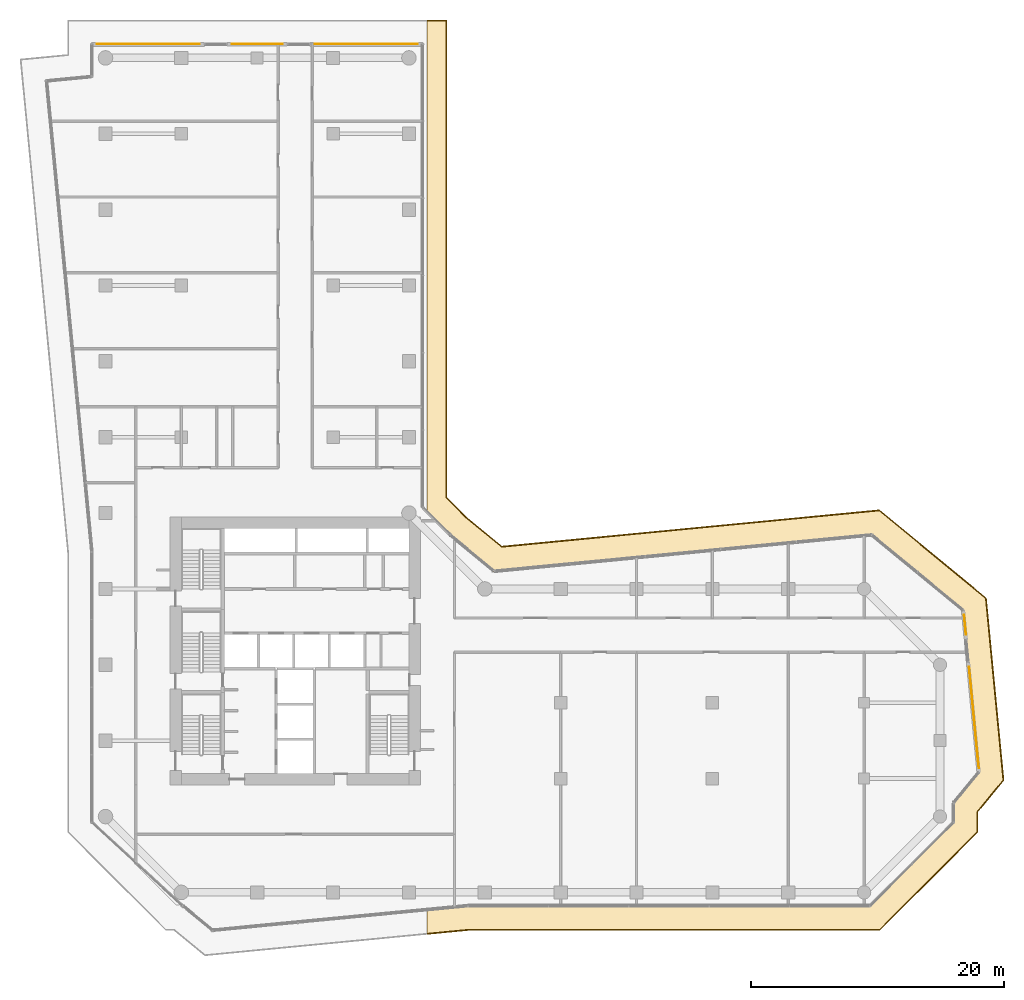
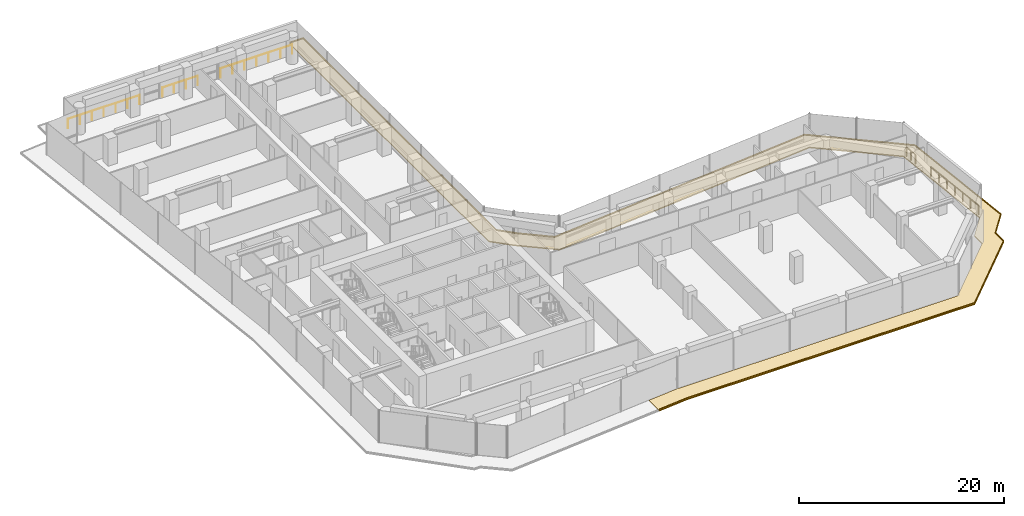
# One storey, part 30 of 30: 5 railings, 2 coverings.
"""IFC4 building model written with IfcOpenShell, lengths in metres."""

from ifc_helpers import new_model, si_unit, direction, frame, origin, origin_2d, place, context, subcontext, project, spatial, polyline, circle, outline, extrude, material, layer, layer_set, type_object, element, save


model = new_model("IFC4")

# Units and contexts
model_context = context("Model", 3, precision=1e-05, world=origin(), true_north=direction((0.0, 1.0)))
body_context = subcontext(model_context, "Body", "Model", "MODEL_VIEW")
ifc_project = project(units=[si_unit("LENGTHUNIT", "METRE"), si_unit("AREAUNIT", "SQUARE_METRE"), si_unit("VOLUMEUNIT", "CUBIC_METRE"), si_unit("PLANEANGLEUNIT", "RADIAN"), si_unit("MASSUNIT", "GRAM", prefix="KILO")], contexts=[model_context])

# Site, building, storey
site_placement = place(None, origin())
site = spatial("IfcSite", under=ifc_project, at=site_placement, CompositionType="ELEMENT")
building_placement = place(site_placement, origin())
building = spatial("IfcBuilding", under=site, at=building_placement, Name="Welwitschia Terrace Campus", CompositionType="ELEMENT")
storey_placement = place(building_placement, frame((0.0, 0.0, 75.199951171875)))
storey = spatial("IfcBuildingStorey", under=building, at=storey_placement, Name="L17", CompositionType="ELEMENT", Elevation=75.199951171875)

# Railings
ifc_material_1 = material(Name="Stainless steel grade 316", Category="steel")
railing_type = type_object("IfcRailingType", Name="Guard 1100", PredefinedType="GUARDRAIL", material=ifc_material_1)
railing_1_placement = place(storey_placement, frame((-0.6640625, 63.114013671875, 0.0)))
element("IfcRailing", 1, at=railing_1_placement, inside=storey, type_object=railing_type, Name="Guard floor edge L17.0", PredefinedType="GUARDRAIL", context=body_context, shape_type="SweptSolid", body=[
    extrude(circle(Radius=0.02392578125, at=origin_2d()), frame((0.0, 0.0, 1.076171875), z_axis=(1.0, 0.0, 0.0), x_axis=(0.0, 1.0, 0.0)), (0.0, 0.0, 1.0), 8.101806640625),
    extrude(circle(Radius=0.02099609375, at=origin_2d()), origin(), (0.0, 0.0, 1.0), 1.052001953125),
    extrude(circle(Radius=0.02099609375, at=origin_2d()), frame((1.350341796875, 0.0, 0.0)), (0.0, 0.0, 1.0), 1.052001953125),
    extrude(circle(Radius=0.02099609375, at=origin_2d()), frame((2.70068359375, 0.0, 0.0)), (0.0, 0.0, 1.0), 1.052001953125),
    extrude(circle(Radius=0.02099609375, at=origin_2d()), frame((4.05078125, 0.0, 0.0)), (0.0, 0.0, 1.0), 1.052001953125),
    extrude(circle(Radius=0.02099609375, at=origin_2d()), frame((5.401123046875, 0.0, 0.0)), (0.0, 0.0, 1.0), 1.052001953125),
    extrude(circle(Radius=0.02099609375, at=origin_2d()), frame((6.75146484375, 0.0, 0.0)), (0.0, 0.0, 1.0), 1.052001953125),
    extrude(circle(Radius=0.02099609375, at=origin_2d()), frame((8.101806640625, 0.0, 0.0)), (0.0, 0.0, 1.0), 1.052001953125),
])
railing_2_placement = place(storey_placement, frame((10.00537109375, 63.114013671875, 0.0)))
element("IfcRailing", 2, at=railing_2_placement, inside=storey, type_object=railing_type, Name="Guard floor edge L17.1", PredefinedType="GUARDRAIL", context=body_context, shape_type="SweptSolid", body=[
    extrude(circle(Radius=0.02392578125, at=origin_2d()), frame((0.0, 0.0, 1.076171875), z_axis=(1.0, 0.0, 0.0), x_axis=(0.0, 1.0, 0.0)), (0.0, 0.0, 1.0), 3.9892578125),
    extrude(circle(Radius=0.02099609375, at=origin_2d()), origin(), (0.0, 0.0, 1.0), 1.052001953125),
    extrude(circle(Radius=0.02099609375, at=origin_2d()), frame((1.329833984375, 0.0, 0.0)), (0.0, 0.0, 1.0), 1.052001953125),
    extrude(circle(Radius=0.02099609375, at=origin_2d()), frame((2.659423828125, 0.0, 0.0)), (0.0, 0.0, 1.0), 1.052001953125),
    extrude(circle(Radius=0.02099609375, at=origin_2d()), frame((3.9892578125, 0.0, 0.0)), (0.0, 0.0, 1.0), 1.052001953125),
])
railing_3_placement = place(storey_placement, frame((16.562255859375, 63.114013671875, 0.0)))
element("IfcRailing", 3, at=railing_3_placement, inside=storey, type_object=railing_type, Name="Guard floor edge L17.2", PredefinedType="GUARDRAIL", context=body_context, shape_type="SweptSolid", body=[
    extrude(circle(Radius=0.02392578125, at=origin_2d()), frame((0.0, 0.0, 1.076171875), z_axis=(1.0, 0.0, 0.0), x_axis=(0.0, 1.0, 0.0)), (0.0, 0.0, 1.0), 8.101806640625),
    extrude(circle(Radius=0.02099609375, at=origin_2d()), origin(), (0.0, 0.0, 1.0), 1.052001953125),
    extrude(circle(Radius=0.02099609375, at=origin_2d()), frame((1.350341796875, 0.0, 0.0)), (0.0, 0.0, 1.0), 1.052001953125),
    extrude(circle(Radius=0.02099609375, at=origin_2d()), frame((2.70068359375, 0.0, 0.0)), (0.0, 0.0, 1.0), 1.052001953125),
    extrude(circle(Radius=0.02099609375, at=origin_2d()), frame((4.05078125, 0.0, 0.0)), (0.0, 0.0, 1.0), 1.052001953125),
    extrude(circle(Radius=0.02099609375, at=origin_2d()), frame((5.401123046875, 0.0, 0.0)), (0.0, 0.0, 1.0), 1.052001953125),
    extrude(circle(Radius=0.02099609375, at=origin_2d()), frame((6.75146484375, 0.0, 0.0)), (0.0, 0.0, 1.0), 1.052001953125),
    extrude(circle(Radius=0.02099609375, at=origin_2d()), frame((8.101806640625, 0.0, 0.0)), (0.0, 0.0, 1.0), 1.052001953125),
])
railing_4_placement = place(storey_placement, frame((67.908935546875, 17.943603515625, 0.0)))
element("IfcRailing", 4, at=railing_4_placement, inside=storey, type_object=railing_type, Name="Guard floor edge L17.3", PredefinedType="GUARDRAIL", context=body_context, shape_type="SweptSolid", body=[
    extrude(circle(Radius=0.02392578125, at=origin_2d()), frame((0.0, 0.0, 1.076171875), z_axis=(0.095745144339, -0.995405880702, 0.0), x_axis=(0.995405880702, 0.095745144339, 0.0)), (0.0, 0.0, 1.0), 1.56298828125),
    extrude(circle(Radius=0.02099609375, at=origin_2d()), origin(), (0.0, 0.0, 1.0), 1.052001953125),
    extrude(circle(Radius=0.02099609375, at=origin_2d()), frame((0.07470703125, -0.77783203125, 0.0)), (0.0, 0.0, 1.0), 1.052001953125),
    extrude(circle(Radius=0.02099609375, at=origin_2d()), frame((0.149658203125, -1.555908203125, 0.0)), (0.0, 0.0, 1.0), 1.052001953125),
])
railing_5_placement = place(storey_placement, frame((68.3046875, 13.83203125, 0.0)))
element("IfcRailing", 5, at=railing_5_placement, inside=storey, type_object=railing_type, Name="Guard floor edge L17.4", PredefinedType="GUARDRAIL", context=body_context, shape_type="SweptSolid", body=[
    extrude(circle(Radius=0.02392578125, at=origin_2d()), frame((0.0, 0.0, 1.076171875), z_axis=(0.095864288664, -0.995394413365, 0.0), x_axis=(0.995394413365, 0.095864288664, 0.0)), (0.0, 0.0, 1.0), 8.024658203125),
    extrude(circle(Radius=0.02099609375, at=origin_2d()), origin(), (0.0, 0.0, 1.0), 1.052001953125),
    extrude(circle(Radius=0.02099609375, at=origin_2d()), frame((0.128173828125, -1.331298828125, 0.0)), (0.0, 0.0, 1.0), 1.052001953125),
    extrude(circle(Radius=0.02099609375, at=origin_2d()), frame((0.25634765625, -2.66259765625, 0.0)), (0.0, 0.0, 1.0), 1.052001953125),
    extrude(circle(Radius=0.02099609375, at=origin_2d()), frame((0.384765625, -3.993896484375, 0.0)), (0.0, 0.0, 1.0), 1.052001953125),
    extrude(circle(Radius=0.02099609375, at=origin_2d()), frame((0.512939453125, -5.3251953125, 0.0)), (0.0, 0.0, 1.0), 1.052001953125),
    extrude(circle(Radius=0.02099609375, at=origin_2d()), frame((0.64111328125, -6.656494140625, 0.0)), (0.0, 0.0, 1.0), 1.052001953125),
    extrude(circle(Radius=0.02099609375, at=origin_2d()), frame((0.769287109375, -7.98779296875, 0.0)), (0.0, 0.0, 1.0), 1.052001953125),
])

# Coverings
ifc_material_2 = material(Name="Bronze anodised aluminium", Category="aluminium")
ifc_layer_1 = layer(ifc_material_2, 0.1201171875)
ifc_layer_set_1 = layer_set([ifc_layer_1], Name="Bronze anodised aluminium")
covering_type_1 = type_object("IfcCoveringType", Name="Sunshade band 2000", PredefinedType="USERDEFINED", material=ifc_layer_set_1)
covering_1_placement = place(storey_placement, frame((0.0, 0.0, -0.25)))
element("IfcCovering", 6, at=covering_1_placement, inside=storey, type_object=covering_type_1, Name="SUNSHADE L17.SE0", ObjectType="SUNSHADE", PredefinedType="USERDEFINED", context=body_context, shape_type="SweptSolid", body=[
    extrude(outline(polyline([(27.0, 65.0), (27.0, 27.24267578125), (28.54833984375, 25.694091796875), (31.347412109375, 23.38671875), (61.20947265625, 26.26220703125), (69.674560546875, 19.2841796875), (71.06298828125, 4.865478515625), (69.0, 2.363037109375), (69.0, 0.75732421875), (61.24267578125, -7.0), (28.771240234375, -7.0), (25.41943359375, -7.32275390625), (25.41943359375, -5.3134765625), (28.67529296875, -5.0), (60.414306640625, -5.0), (67.0, 1.585693359375), (67.0, 3.0810546875), (68.99267578125, 5.498291015625), (67.76318359375, 18.267822265625), (60.576416015625, 24.19189453125), (30.714599609375, 21.316650390625), (27.2021484375, 24.212158203125), (25.41943359375, 25.99462890625), (25.41943359375, 65.0), (27.0, 65.0)])), origin(), (0.0, 0.0, 1.0), 0.1201171875),
])
ifc_material_3 = material(Name="Bronze anodised aluminium", Category="aluminium")
ifc_layer_2 = layer(ifc_material_3, 0.06005859375)
ifc_layer_set_2 = layer_set([ifc_layer_2], Name="Bronze anodised aluminium")
covering_type_2 = type_object("IfcCoveringType", Name="Sunshade lip 60", PredefinedType="USERDEFINED", material=ifc_layer_set_2)
covering_2_placement = place(storey_placement, frame((0.0, 0.0, -0.1298828125)))
element("IfcCovering", 7, at=covering_2_placement, inside=storey, type_object=covering_type_2, Name="SUNSHADE LIP L17.SE0.0", ObjectType="SUNSHADE", PredefinedType="USERDEFINED", context=body_context, shape_type="SweptSolid", body=[
    extrude(outline(polyline([(27.0, 27.24267578125), (28.54833984375, 25.694091796875), (31.347412109375, 23.38671875), (61.20947265625, 26.26220703125), (69.674560546875, 19.2841796875), (71.06298828125, 4.865478515625), (69.0, 2.363037109375), (69.0, 0.75732421875), (61.24267578125, -7.0), (28.771240234375, -7.0), (25.41943359375, -7.32275390625), (25.41943359375, -7.262451171875), (28.768310546875, -6.93994140625), (61.2177734375, -6.93994140625), (68.93994140625, 0.7822265625), (68.93994140625, 2.384521484375), (71.000732421875, 4.884521484375), (69.6171875, 19.253662109375), (61.1904296875, 26.2001953125), (31.32861328125, 23.32470703125), (28.508056640625, 25.649658203125), (26.93994140625, 27.2177734375), (26.93994140625, 64.93994140625), (25.41943359375, 64.93994140625), (25.41943359375, 65.0), (27.0, 65.0), (27.0, 27.24267578125)])), origin(), (0.0, 0.0, 1.0), 0.1298828125),
])

save(model, "model.ifc")
